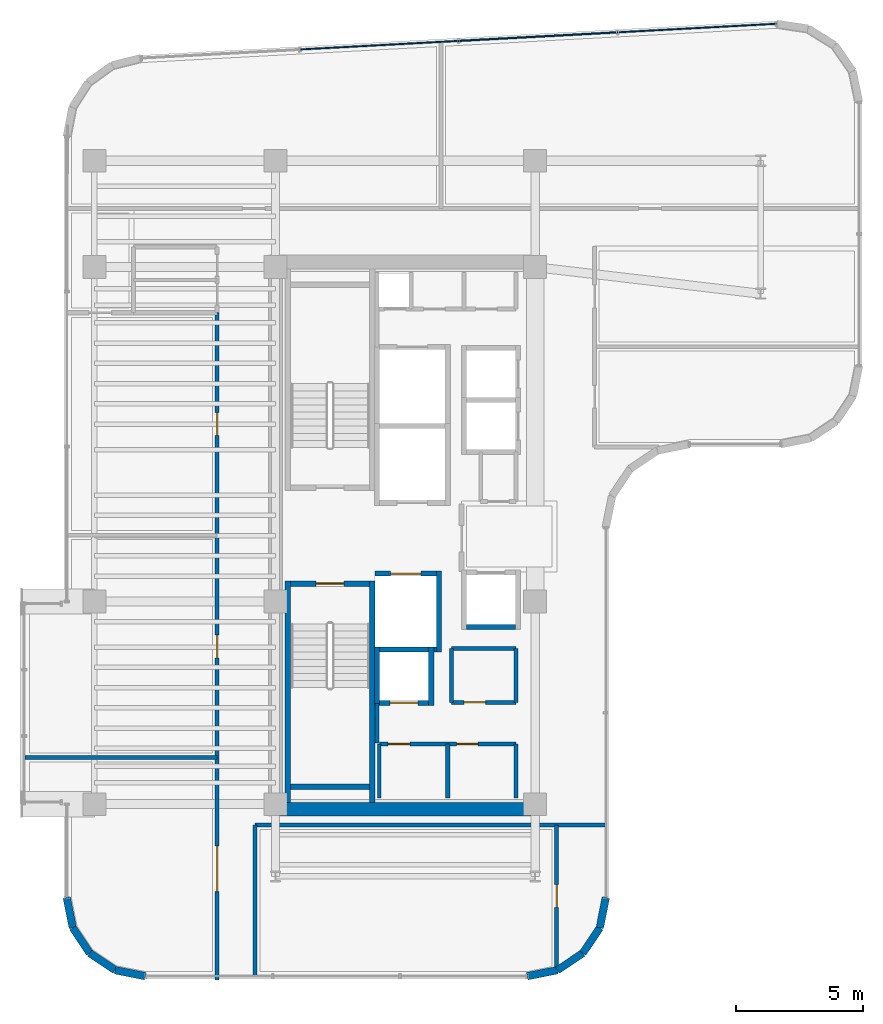
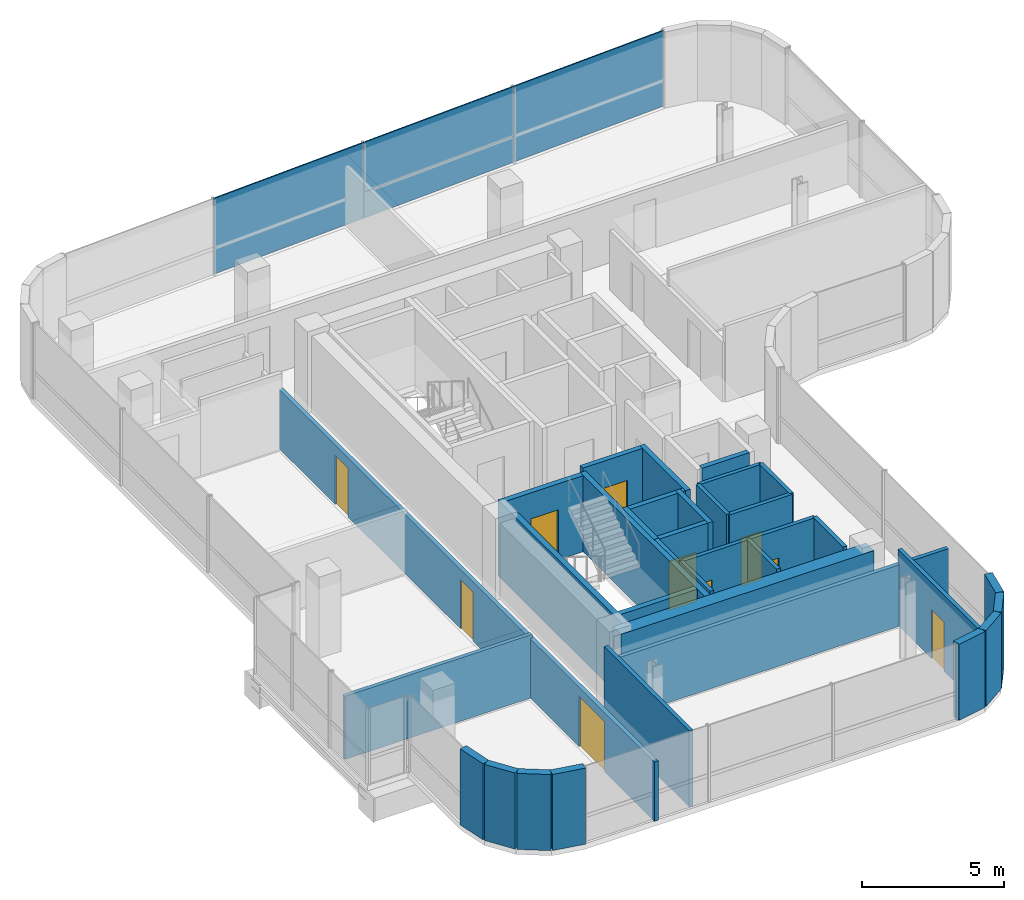
# One storey, part 18 of 22: 34 walls, 10 doors, 4 plates, 10 openings, 1 element without a shape of its own.
"""IFC4 building model written with IfcOpenShell, lengths in metres."""

import ifcopenshell
import ifcopenshell.guid

model = None  # the IFC model being written
_history = None  # IfcOwnerHistory: only IFC2X3 demands one
_inside = {}  # id of a spatial element -> (the spatial element, [elements in it])
_under = {}  # id of a project, library or spatial element -> (it, [spatial elements below it])
_declared = {}  # id of a project -> (the project, [libraries it declares])
_typed = {}  # id of a type object -> (the type object, [elements of that type])
_made_of = {}  # id of a material, layer set ... -> (it, [elements and type objects made of it])


def new_model(schema):
    """Start an empty IFC model of exactly this schema.

    Asked for "IFC4X3", IfcOpenShell would pick the latest addendum, in which some entities
    have other attributes; the version numbers below select the first issue.
    IFC2X3 requires an IfcOwnerHistory on every rooted entity: one is made here for all.
    """
    global model, _history
    if schema == "IFC4X3":
        model = ifcopenshell.file(schema_version=(4, 3, 0, 0))
    else:
        model = ifcopenshell.file(schema=schema)
    _inside.clear()
    _under.clear()
    _declared.clear()
    _typed.clear()
    _made_of.clear()
    _history = None
    if model.schema == "IFC2X3":
        org = make("IfcOrganization", Name="unknown")
        user = make(
            "IfcPersonAndOrganization",
            ThePerson=make("IfcPerson", FamilyName="unknown"),
            TheOrganization=org,
        )
        app = make(
            "IfcApplication",
            ApplicationDeveloper=org,
            Version="unknown",
            ApplicationFullName="unknown",
            ApplicationIdentifier="unknown",
        )
        _history = make(
            "IfcOwnerHistory",
            OwningUser=user,
            OwningApplication=app,
            ChangeAction="ADDED",
            CreationDate=0,
        )
    return model


def make(cls, **values):
    """One entity of the class cls with the attributes given. An attribute that is None is left unset."""
    return model.create_entity(
        cls, **{name: value for name, value in values.items() if value is not None}
    )


def rooted(cls, **values):
    """An entity with a GlobalId (a new one), such as an element, a storey or a relation."""
    return make(cls, GlobalId=ifcopenshell.guid.new(), OwnerHistory=_history, **values)


def si_unit(unit_type, name, prefix=None):
    """IfcSIUnit, for example si_unit("LENGTHUNIT", "METRE", prefix="MILLI")."""
    return make("IfcSIUnit", UnitType=unit_type, Prefix=prefix, Name=name)


def assignment(units):
    """IfcUnitAssignment: the units of a project."""
    return None if units is None else make("IfcUnitAssignment", Units=units)


def point(xyz):
    """IfcCartesianPoint."""
    return None if xyz is None else make("IfcCartesianPoint", Coordinates=xyz)


def direction(xyz):
    """IfcDirection."""
    return None if xyz is None else make("IfcDirection", DirectionRatios=xyz)


def frame(location, z_axis=None, x_axis=None):
    """IfcAxis2Placement3D, a coordinate frame: its origin and axes. An axis left out is left unset."""
    return make(
        "IfcAxis2Placement3D",
        Location=point(location),
        Axis=direction(z_axis),
        RefDirection=direction(x_axis),
    )


def frame_2d(location, x_axis=None):
    """IfcAxis2Placement2D, a coordinate frame in the plane: its origin and x axis."""
    return make(
        "IfcAxis2Placement2D", Location=point(location), RefDirection=direction(x_axis)
    )


def origin():
    """The frame at (0, 0, 0) with its axes left unset."""
    return frame((0.0, 0.0, 0.0))


def origin_2d():
    """The frame at (0, 0) in the plane with its x axis left unset."""
    return frame_2d((0.0, 0.0))


def place(relative_to, where):
    """IfcLocalPlacement: puts the frame where relative to a parent placement (None: the world)."""
    return make(
        "IfcLocalPlacement", PlacementRelTo=relative_to, RelativePlacement=where
    )


def context(
    kind, dimensions, precision=None, world=None, true_north=None, identifier=None
):
    """IfcGeometricRepresentationContext, for example the 3D "Model" context."""
    return make(
        "IfcGeometricRepresentationContext",
        ContextIdentifier=identifier,
        ContextType=kind,
        CoordinateSpaceDimension=dimensions,
        Precision=precision,
        WorldCoordinateSystem=world,
        TrueNorth=true_north,
    )


def subcontext(parent, identifier, kind, view, scale=None):
    """IfcGeometricRepresentationSubContext, for example "Body" below "Model"."""
    return make(
        "IfcGeometricRepresentationSubContext",
        ContextIdentifier=identifier,
        ContextType=kind,
        ParentContext=parent,
        TargetScale=scale,
        TargetView=view,
    )


def project(units=None, contexts=None):
    """IfcProject with its units and contexts."""
    return rooted(
        "IfcProject",
        Name="project",
        RepresentationContexts=contexts,
        UnitsInContext=assignment(units),
    )


def spatial(cls, under=None, at=None, **own):
    """A site, building, storey or space (cls), placed at a placement, below another one or the project."""
    s = rooted(cls, ObjectPlacement=at, **own)
    if under is not None:
        _under.setdefault(under.id(), (under, []))[1].append(s)
    return s


def profile(cls, at=None, kind="AREA", **sizes):
    """A parametric profile (cls). Its sizes go by their IFC names, for example OverallWidth=200.0."""
    return make(cls, ProfileType=kind, Position=at, **sizes)


def rectangle(**sizes):
    """IfcRectangleProfileDef."""
    return profile("IfcRectangleProfileDef", **sizes)


def extrude(swept, where, along, depth):
    """IfcExtrudedAreaSolid: the profile swept, set in the frame where, extruded along a direction by depth."""
    return make(
        "IfcExtrudedAreaSolid",
        SweptArea=swept,
        Position=where,
        ExtrudedDirection=direction(along),
        Depth=depth,
    )


def shape(context_of_items, identifier, shape_type, items):
    """IfcShapeRepresentation: the items that make up one representation, for example the "Body"."""
    return make(
        "IfcShapeRepresentation",
        ContextOfItems=context_of_items,
        RepresentationIdentifier=identifier,
        RepresentationType=shape_type,
        Items=items,
    )


def source(mapping_origin, context_of_items, identifier, shape_type, items):
    """IfcRepresentationMap: a shape defined once, which mapped items show again and again."""
    return make(
        "IfcRepresentationMap",
        MappingOrigin=mapping_origin,
        MappedRepresentation=shape(context_of_items, identifier, shape_type, items),
    )


def transform(
    local_origin,
    x_axis=None,
    y_axis=None,
    z_axis=None,
    scale=None,
    scale2=None,
    scale3=None,
    uniform=True,
):
    """IfcCartesianTransformationOperator3D, or its non-uniform kind. x_axis, y_axis, z_axis: its Axis1, 2, 3."""
    if uniform:
        return make(
            "IfcCartesianTransformationOperator3D",
            Axis1=direction(x_axis),
            Axis2=direction(y_axis),
            LocalOrigin=point(local_origin),
            Scale=scale,
            Axis3=direction(z_axis),
        )
    return make(
        "IfcCartesianTransformationOperator3DnonUniform",
        Axis1=direction(x_axis),
        Axis2=direction(y_axis),
        LocalOrigin=point(local_origin),
        Scale=scale,
        Axis3=direction(z_axis),
        Scale2=scale2,
        Scale3=scale3,
    )


def mapped(mapping_source, mapping_target):
    """IfcMappedItem: shows the shape of a source again, moved by a transform."""
    return make(
        "IfcMappedItem", MappingSource=mapping_source, MappingTarget=mapping_target
    )


def material(Name=None, Category=None):
    """IfcMaterial."""
    return make("IfcMaterial", Name=Name, Category=Category)


def layer(
    of_material, thickness, ventilated=None, Name=None, Category=None, Priority=None
):
    """IfcMaterialLayer: one layer of a wall or slab, of a material (None: an air gap)."""
    return make(
        "IfcMaterialLayer",
        Material=of_material,
        LayerThickness=thickness,
        IsVentilated=ventilated,
        Name=Name,
        Category=Category,
        Priority=Priority,
    )


def layer_set(layers, Name=None):
    """IfcMaterialLayerSet."""
    return make("IfcMaterialLayerSet", MaterialLayers=layers, LayerSetName=Name)


def made_of(thing, what):
    """Note that an element or type object is made of a material, layer set ...; save() writes the relation."""
    if what is not None:
        _made_of.setdefault(what.id(), (what, []))[1].append(thing)
    return thing


def type_object(cls, material=None, **own):
    """A type object (cls), such as IfcWallType, which elements share."""
    return made_of(rooted(cls, **own), material)


def element(
    cls,
    number,
    at=None,
    inside=None,
    cuts=None,
    type_object=None,
    material=None,
    context=None,
    identifier="Body",
    shape_type=None,
    held_by="IfcProductDefinitionShape",
    body=None,
    shapes=None,
    **own,
):
    """One element of the class cls, such as IfcWall. Its Tag is "e" and its number.

    at: its placement. inside: the storey or other place that contains it. cuts: it is an
    opening in that element (IfcRelVoidsElement). A single representation is given by context,
    identifier, shape_type and body (its items); several are given by shapes. held_by: the class
    of the entity that holds the representations. save() writes the other relations.
    """
    e = rooted(cls, Tag="e%d" % number, ObjectPlacement=at, **own)
    if body is not None:
        shapes = [shape(context, identifier, shape_type, body)]
    if shapes is not None:
        e.Representation = make(held_by, Representations=shapes)
    if inside is not None:
        _inside.setdefault(inside.id(), (inside, []))[1].append(e)
    if cuts is not None:
        rooted(
            "IfcRelVoidsElement", RelatingBuildingElement=cuts, RelatedOpeningElement=e
        )
    if type_object is not None:
        _typed.setdefault(type_object.id(), (type_object, []))[1].append(e)
    return made_of(e, material)


def fill(opening, filler):
    """IfcRelFillsElement: the door or window that sits in an opening."""
    return rooted(
        "IfcRelFillsElement",
        RelatingOpeningElement=opening,
        RelatedBuildingElement=filler,
    )


def aggregate(whole, parts):
    """IfcRelAggregates: a whole, such as a stair, and the parts it consists of."""
    return rooted("IfcRelAggregates", RelatingObject=whole, RelatedObjects=parts)


def save(model, path):
    """Write the relations noted so far, then the file.

    IfcRelAggregates (storeys below a building ...), IfcRelContainedInSpatialStructure (elements
    in a storey), IfcRelDefinesByType, IfcRelAssociatesMaterial and IfcRelDeclares: one each for
    every whole, place, type object, material and project.
    """
    for whole, parts in _under.values():
        aggregate(whole, parts)
    for where, things in _inside.values():
        rooted(
            "IfcRelContainedInSpatialStructure",
            RelatedElements=things,
            RelatingStructure=where,
        )
    for kind, things in _typed.values():
        rooted("IfcRelDefinesByType", RelatedObjects=things, RelatingType=kind)
    for what, things in _made_of.values():
        rooted("IfcRelAssociatesMaterial", RelatedObjects=things, RelatingMaterial=what)
    for by, libraries in _declared.values():
        rooted("IfcRelDeclares", RelatingContext=by, RelatedDefinitions=libraries)
    model.write(path)


model = new_model("IFC4")

# Units and contexts
model_context = context("Model", 3, precision=1e-05, world=origin(), true_north=direction((0.0, 1.0)))
body_context = subcontext(model_context, "Body", "Model", "MODEL_VIEW")
ifc_project = project(units=[si_unit("LENGTHUNIT", "METRE"), si_unit("AREAUNIT", "SQUARE_METRE"), si_unit("VOLUMEUNIT", "CUBIC_METRE"), si_unit("PLANEANGLEUNIT", "RADIAN"), si_unit("MASSUNIT", "GRAM", prefix="KILO")], contexts=[model_context])

# Site, building, storey
site_placement = place(None, origin())
site = spatial("IfcSite", under=ifc_project, at=site_placement, CompositionType="ELEMENT")
building_placement = place(site_placement, origin())
building = spatial("IfcBuilding", under=site, at=building_placement, Name="Valdorenza Pilgrim Sanctuary Tower", CompositionType="ELEMENT")
storey_placement = place(building_placement, frame((0.0, 0.0, 237.0)))
storey = spatial("IfcBuildingStorey", under=building, at=storey_placement, Name="L61", CompositionType="ELEMENT", Elevation=237.0)

# Curtain wall, plates
ifc_material_1 = material(Name="Curtain-wall IGU glazing", Category="glass")
curtain_wall_type = type_object("IfcCurtainWallType", Name="CW-SYS-02", PredefinedType="NOTDEFINED", material=ifc_material_1)
curtain_wall_placement = place(storey_placement, origin())
curtain_wall = element("IfcCurtainWall", 1, at=curtain_wall_placement, inside=storey, type_object=curtain_wall_type, Name="L61 Curtain Wall CW-L61-1-6", PredefinedType="NOTDEFINED")
ifc_material_2 = material(Name="Honed travertine limestone", Category="masonry")
ifc_layer_1 = layer(ifc_material_2, 0.050048828125, Name="Honed travertine limestone")
ifc_layer_set_1 = layer_set([ifc_layer_1], Name="Honed travertine limestone")
plate_type_1 = type_object("IfcPlateType", Name="CW-SPN-TRV", PredefinedType="USERDEFINED", material=ifc_layer_set_1)
shared_shape_1 = source(origin(), body_context, "Body", "SweptSolid", [
    extrude(rectangle(XDim=6.2587890625, YDim=0.06005859375, at=origin_2d()), origin(), (0.0, 0.0, 1.0), 1.10009765625),
])
plate_1_placement = place(storey_placement, frame((-12.281982421875, 19.699951171875, 0.010009765625), z_axis=(0.0, 0.0, 1.0), x_axis=(0.998547034311, 0.053887106711, 0.0)))
plate_1 = element("IfcPlate", 2, at=plate_1_placement, type_object=plate_type_1, Name="CW-L61-1-6 Travertine Spandrel 3", ObjectType="SPANDREL", PredefinedType="USERDEFINED", context=body_context, shape_type="MappedRepresentation", body=[
    mapped(shared_shape_1, transform((0.0, 0.0, 0.0), x_axis=(1.0, 0.0, 0.0), y_axis=(0.0, 1.0, 0.0), z_axis=(0.0, 0.0, 1.0), scale=1.0)),
])
ifc_material_3 = material(Name="Ceramic-fritted low-E IGU glazing", Category="glass")
ifc_layer_2 = layer(ifc_material_3, 0.035888671875, Name="Ceramic-fritted low-E IGU glazing")
ifc_layer_set_2 = layer_set([ifc_layer_2], Name="Ceramic-fritted low-E IGU glazing")
plate_type_2 = type_object("IfcPlateType", Name="CW-GLZ-IGU", PredefinedType="USERDEFINED", material=ifc_layer_set_2)
shared_shape_2 = source(origin(), body_context, "Body", "SweptSolid", [
    extrude(rectangle(XDim=6.2587890625, YDim=0.050048828125, at=origin_2d()), origin(), (0.0, 0.0, 1.0), 2.1201171875),
])
plate_2_placement = place(storey_placement, frame((-12.281982421875, 19.699951171875, 1.1298828125), z_axis=(0.0, 0.0, 1.0), x_axis=(0.998547034311, 0.053887106711, 0.0)))
plate_2 = element("IfcPlate", 3, at=plate_2_placement, type_object=plate_type_2, Name="CW-L61-1-6 Facade Panel 3", ObjectType="GLAZING", PredefinedType="USERDEFINED", context=body_context, shape_type="MappedRepresentation", body=[
    mapped(shared_shape_2, transform((0.0, 0.0, 0.0), x_axis=(1.0, 0.0, 0.0), y_axis=(0.0, 1.0, 0.0), z_axis=(0.0, 0.0, 1.0), scale=1.0)),
])
shared_shape_3 = source(origin(), body_context, "Body", "SweptSolid", [
    extrude(rectangle(XDim=6.2587890625, YDim=0.050048828125, at=origin_2d()), origin(), (0.0, 0.0, 1.0), 3.239990234375),
])
plate_3_placement = place(storey_placement, frame((-18.551513671875, 19.36181640625, 0.009765625), z_axis=(0.0, 0.0, 1.0), x_axis=(0.998547034311, 0.053887106711, 0.0)))
plate_3 = element("IfcPlate", 4, at=plate_3_placement, type_object=plate_type_2, Name="CW-L61-1-6 Full-Height Facade Panel 2", ObjectType="GLAZING", PredefinedType="USERDEFINED", context=body_context, shape_type="MappedRepresentation", body=[
    mapped(shared_shape_3, transform((0.0, 0.0, 0.0), x_axis=(1.0, 0.0, 0.0), y_axis=(0.0, 1.0, 0.0), z_axis=(0.0, 0.0, 1.0), scale=1.0)),
])
plate_4_placement = place(storey_placement, frame((-6.012451171875, 20.038330078125, 0.009765625), z_axis=(0.0, 0.0, 1.0), x_axis=(0.998547034311, 0.053887106711, 0.0)))
plate_4 = element("IfcPlate", 5, at=plate_4_placement, type_object=plate_type_2, Name="CW-L61-1-6 Full-Height Facade Panel 4", ObjectType="GLAZING", PredefinedType="USERDEFINED", context=body_context, shape_type="MappedRepresentation", body=[
    mapped(shared_shape_3, transform((0.0, 0.0, 0.0), x_axis=(1.0, 0.0, 0.0), y_axis=(0.0, 1.0, 0.0), z_axis=(0.0, 0.0, 1.0), scale=1.0)),
])
aggregate(curtain_wall, [plate_3, plate_1, plate_2, plate_4])

# Wall
ifc_material_4 = material(Name="Acoustic twin-stud gypsum partition", Category="gypsum")
ifc_layer_3 = layer(ifc_material_4, 0.159912109375, Name="Acoustic twin-stud gypsum partition")
ifc_layer_set_3 = layer_set([ifc_layer_3], Name="Acoustic twin-stud gypsum partition")
wall_type_1 = type_object("IfcWallType", Name="WAL-COR-160", PredefinedType="PARTITIONING", material=ifc_layer_set_3)
wall_1_placement = place(storey_placement, frame((-18.64990234375, -8.179931640625, 0.0), z_axis=(0.0, 0.0, 1.0), x_axis=(0.0, 1.0, 0.0)))
element("IfcWall", 6, at=wall_1_placement, inside=storey, type_object=wall_type_1, Name="L61 Core A South Lift Hall West Wall", PredefinedType="PARTITIONING", context=body_context, shape_type="SweptSolid", body=[
    extrude(rectangle(XDim=1.559814453125, YDim=0.159912109375, at=frame_2d((0.77978515625, 0.0))), origin(), (0.0, 0.0, 1.0), 3.260009765625),
])

# Wall, openings, doors
wall_2_placement = place(storey_placement, frame((-18.550048828125, -8.219970703125, 0.0), z_axis=(0.0, 0.0, 1.0), x_axis=(1.0, 0.0, 0.0)))
wall_2 = element("IfcWall", 7, at=wall_2_placement, inside=storey, type_object=wall_type_1, Name="L61 Freed Shaft 1 North Wall", PredefinedType="PARTITIONING", context=body_context, shape_type="SweptSolid", body=[
    extrude(rectangle(XDim=5.400146484375, YDim=0.159912109375, at=frame_2d((2.7001953125, 0.0))), origin(), (0.0, 0.0, 1.0), 3.260009765625),
])
opening_1_placement = place(wall_2_placement, frame((0.35009765625, 0.0, 0.0)))
opening_1 = element("IfcOpeningElement", 8, at=opening_1_placement, cuts=wall_2, Name="Opening DR-RS1", PredefinedType="OPENING", context=body_context, shape_type="SweptSolid", body=[
    extrude(rectangle(XDim=0.85009765625, YDim=2.050048828125, at=frame_2d((0.425048828125, 1.02490234375))), frame((0.0, 0.0947265625, 0.0), z_axis=(0.0, -1.0, 0.0), x_axis=(1.0, 0.0, 0.0)), (0.0, 0.0, 1.0), 0.189697265625),
])
opening_2_placement = place(wall_2_placement, frame((3.050048828125, 0.0, 0.0)))
opening_2 = element("IfcOpeningElement", 9, at=opening_2_placement, cuts=wall_2, Name="Opening DR-RS1", PredefinedType="OPENING", context=body_context, shape_type="SweptSolid", body=[
    extrude(rectangle(XDim=0.85009765625, YDim=2.050048828125, at=frame_2d((0.425048828125, 1.02490234375))), frame((0.0, 0.0947265625, 0.0), z_axis=(0.0, -1.0, 0.0), x_axis=(1.0, 0.0, 0.0)), (0.0, 0.0, 1.0), 0.189697265625),
])
ifc_material_5 = material(Name="Painted galvanized steel", Category="steel")
door_type_1 = type_object("IfcDoorType", Name="DR-RSR-850", OperationType="NOTDEFINED", PredefinedType="DOOR", material=ifc_material_5)
door_1_placement = place(opening_1_placement, origin())
door_1 = element("IfcDoor", 10, at=door_1_placement, inside=storey, type_object=door_type_1, Name="L61 Linen Store Door", OperationType="SINGLE_SWING_RIGHT", OverallHeight=2.050048828125, OverallWidth=0.85009765625, PredefinedType="DOOR", context=body_context, shape_type="SweptSolid", body=[
    extrude(rectangle(XDim=0.85009765625, YDim=2.050048828125, at=frame_2d((0.425048828125, 1.02490234375))), frame((0.0, 0.02490234375, 0.0), z_axis=(0.0, -1.0, 0.0), x_axis=(1.0, 0.0, 0.0)), (0.0, 0.0, 1.0), 0.050048828125),
])
fill(opening_1, door_1)
door_2_placement = place(opening_2_placement, origin())
door_2 = element("IfcDoor", 11, at=door_2_placement, inside=storey, type_object=door_type_1, Name="L61 Cot Store Door", OperationType="SINGLE_SWING_LEFT", OverallHeight=2.050048828125, OverallWidth=0.85009765625, PredefinedType="DOOR", context=body_context, shape_type="SweptSolid", body=[
    extrude(rectangle(XDim=0.85009765625, YDim=2.050048828125, at=frame_2d((0.425048828125, 1.02490234375))), frame((0.0, 0.02490234375, 0.0), z_axis=(0.0, -1.0, 0.0), x_axis=(1.0, 0.0, 0.0)), (0.0, 0.0, 1.0), 0.050048828125),
])
fill(opening_2, door_2)

# Walls
for number, where, z_axis, x_axis, name in (
    (12, (-13.14990234375, -10.35009765625, 0.0), (0.0, 0.0, 1.0), (0.0, 1.0, 0.0), "L61 Freed Shaft 1 East Wall"),
    (13, (-15.85009765625, -10.35009765625, 0.0), (0.0, 0.0, 1.0), (0.0, 1.0, 0.0), "L61 Freed Shaft 1 Split Wall"),
):
    element("IfcWall", number, at=place(storey_placement, frame(where, z_axis=z_axis, x_axis=x_axis)), inside=storey, type_object=wall_type_1, Name=name, PredefinedType="PARTITIONING", context=body_context, shape_type="SweptSolid", body=[
        extrude(rectangle(XDim=2.130126953125, YDim=0.159912109375, at=frame_2d((1.06494140625, 0.0))), origin(), (0.0, 0.0, 1.0), 3.260009765625),
    ])

# Wall, opening, door
wall_3_placement = place(storey_placement, frame((-15.699951171875, -6.580078125, 0.0), z_axis=(0.0, 0.0, 1.0), x_axis=(1.0, 0.0, 0.0)))
wall_3 = element("IfcWall", 14, at=wall_3_placement, inside=storey, type_object=wall_type_1, Name="L61 Freed Shaft 2 South Wall", PredefinedType="PARTITIONING", context=body_context, shape_type="SweptSolid", body=[
    extrude(rectangle(XDim=2.550048828125, YDim=0.159912109375, at=frame_2d((1.27490234375, 0.0))), origin(), (0.0, 0.0, 1.0), 3.260009765625),
])
opening_3_placement = place(wall_3_placement, frame((0.5, 0.0, 0.0)))
opening_3 = element("IfcOpeningElement", 15, at=opening_3_placement, cuts=wall_3, Name="Opening DR-RS1", PredefinedType="OPENING", context=body_context, shape_type="SweptSolid", body=[
    extrude(rectangle(XDim=0.85009765625, YDim=2.050048828125, at=frame_2d((0.425048828125, 1.02490234375))), frame((0.0, 0.0947265625, 0.0), z_axis=(0.0, -1.0, 0.0), x_axis=(1.0, 0.0, 0.0)), (0.0, 0.0, 1.0), 0.189697265625),
])
door_3_placement = place(opening_3_placement, origin())
door_3 = element("IfcDoor", 16, at=door_3_placement, inside=storey, type_object=door_type_1, Name="L61 Guest Tea Pantry Door", OperationType="SINGLE_SWING_RIGHT", OverallHeight=2.050048828125, OverallWidth=0.85009765625, PredefinedType="DOOR", context=body_context, shape_type="SweptSolid", body=[
    extrude(rectangle(XDim=0.85009765625, YDim=2.050048828125, at=frame_2d((0.425048828125, 1.02490234375))), frame((0.0, 0.02490234375, 0.0), z_axis=(0.0, -1.0, 0.0), x_axis=(1.0, 0.0, 0.0)), (0.0, 0.0, 1.0), 0.050048828125),
])
fill(opening_3, door_3)

# Walls
wall_4_placement = place(storey_placement, frame((-13.14990234375, -6.580078125, 0.0), z_axis=(0.0, 0.0, 1.0), x_axis=(0.0, 1.0, 0.0)))
element("IfcWall", 17, at=wall_4_placement, inside=storey, type_object=wall_type_1, Name="L61 Freed Shaft 2 East Wall", PredefinedType="PARTITIONING", context=body_context, shape_type="SweptSolid", body=[
    extrude(rectangle(XDim=2.130126953125, YDim=0.159912109375, at=frame_2d((1.06494140625, 0.0))), origin(), (0.0, 0.0, 1.0), 3.260009765625),
])
wall_5_placement = place(storey_placement, frame((-23.449951171875, -11.419921875, 0.0), z_axis=(0.0, 0.0, 1.0), x_axis=(1.0, 0.0, 0.0)))
element("IfcWall", 18, at=wall_5_placement, inside=storey, type_object=wall_type_1, Name="L61 South-East Pocket North Wall", PredefinedType="PARTITIONING", context=body_context, shape_type="SweptSolid", body=[
    extrude(rectangle(XDim=13.83984375, YDim=0.159912109375, at=frame_2d((6.919921875, 0.0))), origin(), (0.0, 0.0, 1.0), 2.634033203125),
])
wall_6_placement = place(storey_placement, frame((-23.449951171875, -17.389892578125, 0.0), z_axis=(0.0, 0.0, 1.0), x_axis=(0.0, 1.0, 0.0)))
element("IfcWall", 19, at=wall_6_placement, inside=storey, type_object=wall_type_1, Name="L61 South-East Pocket West Wall", PredefinedType="PARTITIONING", context=body_context, shape_type="SweptSolid", body=[
    extrude(rectangle(XDim=5.969970703125, YDim=0.159912109375, at=frame_2d((2.98486328125, 0.0))), origin(), (0.0, 0.0, 1.0), 3.260009765625),
])

# Wall, openings, doors
wall_7_placement = place(storey_placement, frame((-24.949951171875, -17.5400390625, 0.0), z_axis=(0.0, 0.0, 1.0), x_axis=(0.0, 1.0, 0.0)))
wall_7 = element("IfcWall", 20, at=wall_7_placement, inside=storey, type_object=wall_type_1, Name="L61 West Wing Corridor Wall", PredefinedType="PARTITIONING", context=body_context, shape_type="SweptSolid", body=[
    extrude(rectangle(XDim=26.340087890625, YDim=0.159912109375, at=frame_2d((13.169921875, 0.0))), origin(), (0.0, 0.0, 1.0), 2.5439453125),
])
opening_4_placement = place(wall_7_placement, frame((3.489990234375, 0.0, 0.0)))
opening_4 = element("IfcOpeningElement", 21, at=opening_4_placement, cuts=wall_7, Name="Opening DR-HL1", PredefinedType="OPENING", context=body_context, shape_type="SweptSolid", body=[
    extrude(rectangle(XDim=1.800048828125, YDim=2.14990234375, at=frame_2d((0.89990234375, 1.074951171875))), frame((0.0, 0.0947265625, 0.0), z_axis=(0.0, -1.0, 0.0), x_axis=(1.0, 0.0, 0.0)), (0.0, 0.0, 1.0), 0.189697265625),
])
opening_5_placement = place(wall_7_placement, frame((12.719970703125, 0.0, 0.0)))
opening_5 = element("IfcOpeningElement", 22, at=opening_5_placement, cuts=wall_7, Name="Opening DR-RM1", PredefinedType="OPENING", context=body_context, shape_type="SweptSolid", body=[
    extrude(rectangle(XDim=0.89990234375, YDim=2.10009765625, at=frame_2d((0.449951171875, 1.050048828125))), frame((0.0, 0.0947265625, 0.0), z_axis=(0.0, -1.0, 0.0), x_axis=(1.0, 0.0, 0.0)), (0.0, 0.0, 1.0), 0.189697265625),
])
opening_6_placement = place(wall_7_placement, frame((21.5, 0.0, 0.0)))
opening_6 = element("IfcOpeningElement", 23, at=opening_6_placement, cuts=wall_7, Name="Opening DR-RM1", PredefinedType="OPENING", context=body_context, shape_type="SweptSolid", body=[
    extrude(rectangle(XDim=0.89990234375, YDim=2.10009765625, at=frame_2d((0.449951171875, 1.050048828125))), frame((0.0, 0.0947265625, 0.0), z_axis=(0.0, -1.0, 0.0), x_axis=(1.0, 0.0, 0.0)), (0.0, 0.0, 1.0), 0.189697265625),
])
ifc_material_6 = material(Name="Acoustic oak and vision-glass double door", Category="glass")
door_type_2 = type_object("IfcDoorType", Name="DR-HALL-1800", OperationType="NOTDEFINED", PredefinedType="DOOR", material=ifc_material_6)
door_4_placement = place(opening_4_placement, frame((1.800048828125, 0.0, 0.0), z_axis=(0.0, 0.0, 1.0), x_axis=(-1.0, 0.0, 0.0)))
door_4 = element("IfcDoor", 24, at=door_4_placement, inside=storey, type_object=door_type_2, Name="L61 Main Pilgrim Dining Restaurant L61 Door", OperationType="DOUBLE_DOOR_SINGLE_SWING", OverallHeight=2.14990234375, OverallWidth=1.800048828125, PredefinedType="DOOR", context=body_context, shape_type="SweptSolid", body=[
    extrude(rectangle(XDim=1.800048828125, YDim=2.14990234375, at=frame_2d((0.89990234375, 1.074951171875))), frame((0.0, 0.02490234375, 0.0), z_axis=(0.0, -1.0, 0.0), x_axis=(1.0, 0.0, 0.0)), (0.0, 0.0, 1.0), 0.050048828125),
])
fill(opening_4, door_4)
ifc_material_7 = material(Name="Solid-core European oak timber", Category="wood")
door_type_3 = type_object("IfcDoorType", Name="DR-ROOM-900", OperationType="NOTDEFINED", PredefinedType="DOOR", material=ifc_material_7)
door_5_placement = place(opening_5_placement, origin())
door_5 = element("IfcDoor", 25, at=door_5_placement, inside=storey, type_object=door_type_3, Name="L61 Commercial Refectory Kitchen L61 Door", OperationType="SINGLE_SWING_RIGHT", OverallHeight=2.10009765625, OverallWidth=0.89990234375, PredefinedType="DOOR", context=body_context, shape_type="SweptSolid", body=[
    extrude(rectangle(XDim=0.89990234375, YDim=2.10009765625, at=frame_2d((0.449951171875, 1.050048828125))), frame((0.0, 0.02490234375, 0.0), z_axis=(0.0, -1.0, 0.0), x_axis=(1.0, 0.0, 0.0)), (0.0, 0.0, 1.0), 0.050048828125),
])
fill(opening_5, door_5)
door_6_placement = place(opening_6_placement, frame((0.89990234375, 0.0, 0.0), z_axis=(0.0, 0.0, 1.0), x_axis=(-1.0, 0.0, 0.0)))
door_6 = element("IfcDoor", 26, at=door_6_placement, inside=storey, type_object=door_type_3, Name="L61 Private Banquet Dining Room L61 Door", OperationType="SINGLE_SWING_LEFT", OverallHeight=2.10009765625, OverallWidth=0.89990234375, PredefinedType="DOOR", context=body_context, shape_type="SweptSolid", body=[
    extrude(rectangle(XDim=0.89990234375, YDim=2.10009765625, at=frame_2d((0.449951171875, 1.050048828125))), frame((0.0, 0.02490234375, 0.0), z_axis=(0.0, -1.0, 0.0), x_axis=(1.0, 0.0, 0.0)), (0.0, 0.0, 1.0), 0.050048828125),
])
fill(opening_6, door_6)

# Wall, opening, door
wall_8_placement = place(storey_placement, frame((-11.550048828125, -17.023681640625, 0.0), z_axis=(0.0, 0.0, 1.0), x_axis=(0.0, 1.0, 0.0)))
wall_8 = element("IfcWall", 27, at=wall_8_placement, inside=storey, type_object=wall_type_1, Name="L61 South-East Concourse Wall", PredefinedType="PARTITIONING", context=body_context, shape_type="SweptSolid", body=[
    extrude(rectangle(XDim=5.603759765625, YDim=0.159912109375, at=frame_2d((2.8017578125, 0.0))), origin(), (0.0, 0.0, 1.0), 3.260009765625),
])
opening_7_placement = place(wall_8_placement, frame((2.35205078125, 0.0, 0.0)))
opening_7 = element("IfcOpeningElement", 28, at=opening_7_placement, cuts=wall_8, Name="Opening DR-RM1", PredefinedType="OPENING", context=body_context, shape_type="SweptSolid", body=[
    extrude(rectangle(XDim=0.89990234375, YDim=2.10009765625, at=frame_2d((0.449951171875, 1.050048828125))), frame((0.0, 0.0947265625, 0.0), z_axis=(0.0, -1.0, 0.0), x_axis=(1.0, 0.0, 0.0)), (0.0, 0.0, 1.0), 0.189697265625),
])
door_7_placement = place(opening_7_placement, origin())
door_7 = element("IfcDoor", 29, at=door_7_placement, inside=storey, type_object=door_type_3, Name="L61 South Contemplation Lounge L61 Door", OperationType="SINGLE_SWING_RIGHT", OverallHeight=2.10009765625, OverallWidth=0.89990234375, PredefinedType="DOOR", context=body_context, shape_type="SweptSolid", body=[
    extrude(rectangle(XDim=0.89990234375, YDim=2.10009765625, at=frame_2d((0.449951171875, 1.050048828125))), frame((0.0, 0.02490234375, 0.0), z_axis=(0.0, -1.0, 0.0), x_axis=(1.0, 0.0, 0.0)), (0.0, 0.0, 1.0), 0.050048828125),
])
fill(opening_7, door_7)

# Walls
ifc_material_8 = material(Name="Concrete C50/60", Category="concrete")
ifc_layer_4 = layer(ifc_material_8, 0.550048828125, Name="Concrete C50/60")
ifc_layer_set_4 = layer_set([ifc_layer_4], Name="Concrete C50/60")
wall_type_2 = type_object("IfcWallType", Name="WAL-COR-550", PredefinedType="SHEAR", material=ifc_layer_set_4)
wall_9_placement = place(storey_placement, frame((-22.64990234375, -10.800048828125, 0.0), z_axis=(0.0, 0.0, 1.0), x_axis=(1.0, 0.0, 0.0)))
element("IfcWall", 30, at=wall_9_placement, inside=storey, type_object=wall_type_2, Name="L61 Split Core A Shear Wall S", PredefinedType="SHEAR", context=body_context, shape_type="SweptSolid", body=[
    extrude(rectangle(XDim=10.25, YDim=0.550048828125, at=frame_2d((5.125, 0.0))), origin(), (0.0, 0.0, 1.0), 3.260009765625),
])
ifc_layer_5 = layer(ifc_material_2, 0.300048828125, Name="Honed travertine limestone")
ifc_layer_set_5 = layer_set([ifc_layer_5], Name="Honed travertine limestone")
wall_type_3 = type_object("IfcWallType", Name="WAL-EXT-300", PredefinedType="SOLIDWALL", material=ifc_layer_set_5)
wall_10_placement = place(storey_placement, frame((-9.610107421875, -14.289306640625, 0.0), z_axis=(0.0, 0.0, 1.0), x_axis=(-0.194996050505, -0.980804027463, 0.0)))
element("IfcWall", 31, at=wall_10_placement, inside=storey, type_object=wall_type_3, Name="L61 Rounded Wind-Corner Stone Pier 22", PredefinedType="SOLIDWALL", context=body_context, shape_type="SweptSolid", body=[
    extrude(rectangle(XDim=1.2158203125, YDim=0.300048828125, at=frame_2d((0.60791015625, 0.0))), origin(), (0.0, 0.0, 1.0), 3.260009765625),
])
for number, where, z_axis, x_axis, name in (
    (32, (-9.84716796875, -15.481689453125, 0.0), (0.0, 0.0, 1.0), (-0.555635100982, -0.831426265255, 0.0), "L61 Rounded Wind-Corner Stone Pier 23"),
    (33, (-10.5166015625, -16.4833984375, 0.0), (0.0, 0.0, 1.0), (-0.831426265255, -0.555635100982, 0.0), "L61 Rounded Wind-Corner Stone Pier 24"),
):
    element("IfcWall", number, at=place(storey_placement, frame(where, z_axis=z_axis, x_axis=x_axis)), inside=storey, type_object=wall_type_3, Name=name, PredefinedType="SOLIDWALL", context=body_context, shape_type="SweptSolid", body=[
        extrude(rectangle(XDim=1.204833984375, YDim=0.300048828125, at=frame_2d((0.6025390625, 0.0))), origin(), (0.0, 0.0, 1.0), 3.260009765625),
    ])
for number, where, z_axis, x_axis, name in (
    (34, (-11.518310546875, -17.15283203125, 0.0), (0.0, 0.0, 1.0), (-0.980804027463, -0.194996050505, 0.0), "L61 Rounded Wind-Corner Stone Pier 25"),
    (35, (-27.789306640625, -17.389892578125, 0.0), (0.0, 0.0, 1.0), (-0.980804027463, 0.194996050505, 0.0), "L61 Rounded Wind-Corner Stone Pier 27"),
):
    element("IfcWall", number, at=place(storey_placement, frame(where, z_axis=z_axis, x_axis=x_axis)), inside=storey, type_object=wall_type_3, Name=name, PredefinedType="SOLIDWALL", context=body_context, shape_type="SweptSolid", body=[
        extrude(rectangle(XDim=1.2158203125, YDim=0.300048828125, at=frame_2d((0.60791015625, 0.0))), origin(), (0.0, 0.0, 1.0), 3.260009765625),
    ])
for number, where, z_axis, x_axis, name in (
    (36, (-28.981689453125, -17.15283203125, 0.0), (0.0, 0.0, 1.0), (-0.831426265255, 0.555635100982, 0.0), "L61 Rounded Wind-Corner Stone Pier 28"),
    (37, (-29.9833984375, -16.4833984375, 0.0), (0.0, 0.0, 1.0), (-0.555635100982, 0.831426265255, 0.0), "L61 Rounded Wind-Corner Stone Pier 29"),
):
    element("IfcWall", number, at=place(storey_placement, frame(where, z_axis=z_axis, x_axis=x_axis)), inside=storey, type_object=wall_type_3, Name=name, PredefinedType="SOLIDWALL", context=body_context, shape_type="SweptSolid", body=[
        extrude(rectangle(XDim=1.204833984375, YDim=0.300048828125, at=frame_2d((0.6025390625, 0.0))), origin(), (0.0, 0.0, 1.0), 3.260009765625),
    ])
wall_11_placement = place(storey_placement, frame((-30.65283203125, -15.481689453125, 0.0), z_axis=(0.0, 0.0, 1.0), x_axis=(-0.194996050505, 0.980804027463, 0.0)))
element("IfcWall", 38, at=wall_11_placement, inside=storey, type_object=wall_type_3, Name="L61 Rounded Wind-Corner Stone Pier 30", PredefinedType="SOLIDWALL", context=body_context, shape_type="SweptSolid", body=[
    extrude(rectangle(XDim=1.2158203125, YDim=0.300048828125, at=frame_2d((0.60791015625, 0.0))), origin(), (0.0, 0.0, 1.0), 3.260009765625),
])
ifc_material_9 = material(Name="Autoclaved aerated concrete blockwork", Category="masonry")
ifc_layer_6 = layer(ifc_material_9, 0.199951171875, Name="Autoclaved aerated concrete blockwork")
ifc_layer_set_6 = layer_set([ifc_layer_6], Name="Autoclaved aerated concrete blockwork")
wall_type_4 = type_object("IfcWallType", Name="WAL-SHF-200", PredefinedType="MOVABLE", material=ifc_layer_set_6)
wall_12_placement = place(storey_placement, frame((-16.199951171875, -4.60009765625, 0.0), z_axis=(0.0, 0.0, 1.0), x_axis=(0.0, 1.0, 0.0)))
element("IfcWall", 39, at=wall_12_placement, inside=storey, type_object=wall_type_4, Name="L61 Lift FFL-02 Hoistway Wall East", PredefinedType="MOVABLE", context=body_context, shape_type="SweptSolid", body=[
    extrude(rectangle(XDim=3.2001953125, YDim=0.199951171875, at=frame_2d((1.60009765625, 0.0))), origin(), (0.0, 0.0, 1.0), 3.260009765625),
])
wall_13_placement = place(storey_placement, frame((-18.719970703125, -4.5, 0.0), z_axis=(0.0, 0.0, 1.0), x_axis=(1.0, 0.0, 0.0)))
element("IfcWall", 40, at=wall_13_placement, inside=storey, type_object=wall_type_4, Name="L61 Lift FFL-02 Hoistway Wall South", PredefinedType="MOVABLE", context=body_context, shape_type="SweptSolid", body=[
    extrude(rectangle(XDim=2.419921875, YDim=0.199951171875, at=frame_2d((1.2099609375, 0.0))), origin(), (0.0, 0.0, 1.0), 3.260009765625),
])

# Wall, opening, door
wall_14_placement = place(storey_placement, frame((-18.719970703125, -1.5, 0.0), z_axis=(0.0, 0.0, 1.0), x_axis=(1.0, 0.0, 0.0)))
wall_14 = element("IfcWall", 41, at=wall_14_placement, inside=storey, type_object=wall_type_4, Name="L61 Lift FFL-02 Hoistway Wall North", PredefinedType="MOVABLE", context=body_context, shape_type="SweptSolid", body=[
    extrude(rectangle(XDim=2.419921875, YDim=0.199951171875, at=frame_2d((1.2099609375, 0.0))), origin(), (0.0, 0.0, 1.0), 3.260009765625),
])
opening_8_placement = place(wall_14_placement, frame((0.610107421875, 0.0, 0.0)))
opening_8 = element("IfcOpeningElement", 42, at=opening_8_placement, cuts=wall_14, Name="Opening LD-02", PredefinedType="OPENING", context=body_context, shape_type="SweptSolid", body=[
    extrude(rectangle(XDim=1.199951171875, YDim=2.10009765625, at=frame_2d((0.60009765625, 1.050048828125))), frame((0.0, 0.11474609375, 0.0), z_axis=(0.0, -1.0, 0.0), x_axis=(1.0, 0.0, 0.0)), (0.0, 0.0, 1.0), 0.229736328125),
])
ifc_material_10 = material(Name="Brushed stainless steel Grade 316", Category="steel")
door_type_4 = type_object("IfcDoorType", Name="DR-LFT-1200", OperationType="DOUBLE_DOOR_SLIDING", PredefinedType="DOOR", material=ifc_material_10)
door_8_placement = place(opening_8_placement, origin())
door_8 = element("IfcDoor", 43, at=door_8_placement, inside=storey, type_object=door_type_4, Name="L61 Lift FFL-02 Sliding Landing Door", OperationType="DOUBLE_DOOR_SLIDING", OverallHeight=2.10009765625, OverallWidth=1.199951171875, PredefinedType="DOOR", context=body_context, shape_type="SweptSolid", body=[
    extrude(rectangle(XDim=1.199951171875, YDim=2.10009765625, at=frame_2d((0.60009765625, 1.050048828125))), frame((0.0, 0.02490234375, 0.0), z_axis=(0.0, -1.0, 0.0), x_axis=(1.0, 0.0, 0.0)), (0.0, 0.0, 1.0), 0.050048828125),
])
fill(opening_8, door_8)

# Walls
for number, where, z_axis, x_axis, name in (
    (44, (-18.64990234375, -6.699951171875, 0.0), (0.0, 0.0, 1.0), (0.0, 1.0, 0.0), "L61 Lift PL-11 Hoistway Wall West"),
    (45, (-16.5, -6.699951171875, 0.0), (0.0, 0.0, 1.0), (0.0, 1.0, 0.0), "L61 Lift PL-11 Hoistway Wall East"),
):
    element("IfcWall", number, at=place(storey_placement, frame(where, z_axis=z_axis, x_axis=x_axis)), inside=storey, type_object=wall_type_4, Name=name, PredefinedType="MOVABLE", context=body_context, shape_type="SweptSolid", body=[
        extrude(rectangle(XDim=2.300048828125, YDim=0.199951171875, at=frame_2d((1.14990234375, 0.0))), origin(), (0.0, 0.0, 1.0), 3.260009765625),
    ])

# Wall, opening, door
wall_15_placement = place(storey_placement, frame((-18.550048828125, -6.60009765625, 0.0), z_axis=(0.0, 0.0, 1.0), x_axis=(1.0, 0.0, 0.0)))
wall_15 = element("IfcWall", 46, at=wall_15_placement, inside=storey, type_object=wall_type_4, Name="L61 Lift PL-11 Hoistway Wall South", PredefinedType="MOVABLE", context=body_context, shape_type="SweptSolid", body=[
    extrude(rectangle(XDim=1.949951171875, YDim=0.199951171875, at=frame_2d((0.97509765625, 0.0))), origin(), (0.0, 0.0, 1.0), 3.260009765625),
])
opening_9_placement = place(wall_15_placement, frame((0.425048828125, 0.0, 0.0)))
opening_9 = element("IfcOpeningElement", 47, at=opening_9_placement, cuts=wall_15, Name="Opening LD-01", PredefinedType="OPENING", context=body_context, shape_type="SweptSolid", body=[
    extrude(rectangle(XDim=1.10009765625, YDim=2.10009765625, at=frame_2d((0.550048828125, 1.050048828125))), frame((0.0, 0.11474609375, 0.0), z_axis=(0.0, -1.0, 0.0), x_axis=(1.0, 0.0, 0.0)), (0.0, 0.0, 1.0), 0.229736328125),
])
door_type_5 = type_object("IfcDoorType", Name="DR-LFT-1100", OperationType="DOUBLE_DOOR_SLIDING", PredefinedType="DOOR", material=ifc_material_10)
door_9_placement = place(opening_9_placement, origin())
door_9 = element("IfcDoor", 48, at=door_9_placement, inside=storey, type_object=door_type_5, Name="L61 Lift PL-11 Sliding Landing Door", OperationType="DOUBLE_DOOR_SLIDING", OverallHeight=2.10009765625, OverallWidth=1.10009765625, PredefinedType="DOOR", context=body_context, shape_type="SweptSolid", body=[
    extrude(rectangle(XDim=1.10009765625, YDim=2.10009765625, at=frame_2d((0.550048828125, 1.050048828125))), frame((0.0, 0.02490234375, 0.0), z_axis=(0.0, -1.0, 0.0), x_axis=(1.0, 0.0, 0.0)), (0.0, 0.0, 1.0), 0.050048828125),
])
fill(opening_9, door_9)

# Walls
wall_16_placement = place(storey_placement, frame((-15.10009765625, -3.60009765625, 0.0), z_axis=(0.0, 0.0, 1.0), x_axis=(1.0, 0.0, 0.0)))
element("IfcWall", 49, at=wall_16_placement, inside=storey, type_object=wall_type_4, Name="L61 Lift PL-12 Hoistway Wall South", PredefinedType="MOVABLE", context=body_context, shape_type="SweptSolid", body=[
    extrude(rectangle(XDim=1.920166015625, YDim=0.199951171875, at=frame_2d((0.9599609375, 0.0))), origin(), (0.0, 0.0, 1.0), 3.260009765625),
])
ifc_material_11 = material(Name="Concrete C40/50", Category="concrete")
ifc_layer_7 = layer(ifc_material_11, 0.219970703125, Name="Concrete C40/50")
ifc_layer_set_7 = layer_set([ifc_layer_7], Name="Concrete C40/50")
wall_type_5 = type_object("IfcWallType", Name="WAL-STR-SHF-220", PredefinedType="SHEAR", material=ifc_layer_set_7)
for number, where, z_axis, x_axis, name in (
    (50, (-22.159912109375, -10.52490234375, 0.0), (0.0, 0.0, 1.0), (0.0, 1.0, 0.0), "L61 ST-A2 Structural Stairwell Wall W"),
    (51, (-18.830078125, -10.52490234375, 0.0), (0.0, 0.0, 1.0), (0.0, 1.0, 0.0), "L61 ST-A2 Structural Stairwell Wall E"),
):
    element("IfcWall", number, at=place(storey_placement, frame(where, z_axis=z_axis, x_axis=x_axis)), inside=storey, type_object=wall_type_5, Name=name, PredefinedType="SHEAR", context=body_context, shape_type="SweptSolid", body=[
        extrude(rectangle(XDim=8.744873046875, YDim=0.219970703125, at=frame_2d((4.37255859375, 0.0))), origin(), (0.0, 0.0, 1.0), 3.260009765625),
    ])
wall_17_placement = place(storey_placement, frame((-22.050048828125, -9.909912109375, 0.0), z_axis=(0.0, 0.0, 1.0), x_axis=(1.0, 0.0, 0.0)))
element("IfcWall", 52, at=wall_17_placement, inside=storey, type_object=wall_type_5, Name="L61 ST-A2 Structural Stairwell Wall S", PredefinedType="SHEAR", context=body_context, shape_type="SweptSolid", body=[
    extrude(rectangle(XDim=3.110107421875, YDim=0.219970703125, at=frame_2d((1.55517578125, 0.0))), origin(), (0.0, 0.0, 1.0), 3.260009765625),
])

# Wall, opening, door
wall_18_placement = place(storey_placement, frame((-22.050048828125, -1.889892578125, 0.0), z_axis=(0.0, 0.0, 1.0), x_axis=(1.0, 0.0, 0.0)))
wall_18 = element("IfcWall", 53, at=wall_18_placement, inside=storey, type_object=wall_type_5, Name="L61 ST-A2 Structural Stairwell Wall N", PredefinedType="SHEAR", context=body_context, shape_type="SweptSolid", body=[
    extrude(rectangle(XDim=3.110107421875, YDim=0.219970703125, at=frame_2d((1.55517578125, 0.0))), origin(), (0.0, 0.0, 1.0), 3.260009765625),
])
opening_10_placement = place(wall_18_placement, frame((1.0, 0.0, 0.0)))
opening_10 = element("IfcOpeningElement", 54, at=opening_10_placement, cuts=wall_18, Name="Opening DR-ST1", PredefinedType="OPENING", context=body_context, shape_type="SweptSolid", body=[
    extrude(rectangle(XDim=1.10009765625, YDim=2.14990234375, at=frame_2d((0.550048828125, 1.074951171875))), frame((0.0, 0.125, 0.0), z_axis=(0.0, -1.0, 0.0), x_axis=(1.0, 0.0, 0.0)), (0.0, 0.0, 1.0), 0.249755859375),
])
door_type_6 = type_object("IfcDoorType", Name="DR-STAIR-1100", OperationType="NOTDEFINED", PredefinedType="DOOR", material=ifc_material_5)
door_10_placement = place(opening_10_placement, origin())
door_10 = element("IfcDoor", 55, at=door_10_placement, inside=storey, type_object=door_type_6, Name="L61 Exit Stair ST-A2 Door", OperationType="SINGLE_SWING_RIGHT", OverallHeight=2.14990234375, OverallWidth=1.10009765625, PredefinedType="DOOR", context=body_context, shape_type="SweptSolid", body=[
    extrude(rectangle(XDim=1.10009765625, YDim=2.14990234375, at=frame_2d((0.550048828125, 1.074951171875))), frame((0.0, 0.02490234375, 0.0), z_axis=(0.0, -1.0, 0.0), x_axis=(1.0, 0.0, 0.0)), (0.0, 0.0, 1.0), 0.050048828125),
])
fill(opening_10, door_10)

# Walls
ifc_layer_8 = layer(ifc_material_4, 0.14990234375, Name="Acoustic twin-stud gypsum partition")
ifc_layer_set_8 = layer_set([ifc_layer_8], Name="Acoustic twin-stud gypsum partition")
wall_type_6 = type_object("IfcWallType", Name="WAL-UNT-150", PredefinedType="PARTITIONING", material=ifc_layer_set_8)
for number, where, z_axis, x_axis, name in (
    (56, (-18.550048828125, -10.35009765625, 0.0), (0.0, 0.0, 1.0), (0.0, 1.0, 0.0), "L61 Freed Shaft 1 West Wall"),
    (57, (-15.699951171875, -6.580078125, 0.0), (0.0, 0.0, 1.0), (0.0, 1.0, 0.0), "L61 Freed Shaft 2 West Wall"),
):
    element("IfcWall", number, at=place(storey_placement, frame(where, z_axis=z_axis, x_axis=x_axis)), inside=storey, type_object=wall_type_6, Name=name, PredefinedType="PARTITIONING", context=body_context, shape_type="SweptSolid", body=[
        extrude(rectangle(XDim=2.130126953125, YDim=0.14990234375, at=frame_2d((1.06494140625, 0.0))), origin(), (0.0, 0.0, 1.0), 3.260009765625),
    ])
wall_19_placement = place(storey_placement, frame((-15.699951171875, -4.449951171875, 0.0), z_axis=(0.0, 0.0, 1.0), x_axis=(1.0, 0.0, 0.0)))
element("IfcWall", 58, at=wall_19_placement, inside=storey, type_object=wall_type_6, Name="L61 Freed Shaft 2 North Wall", PredefinedType="PARTITIONING", context=body_context, shape_type="SweptSolid", body=[
    extrude(rectangle(XDim=2.550048828125, YDim=0.14990234375, at=frame_2d((1.27490234375, 0.0))), origin(), (0.0, 0.0, 1.0), 3.260009765625),
])
wall_20_placement = place(storey_placement, frame((-32.5400390625, -8.760009765625, 0.0), z_axis=(0.0, 0.0, 1.0), x_axis=(1.0, 0.0, 0.0)))
element("IfcWall", 59, at=wall_20_placement, inside=storey, type_object=wall_type_6, Name="L61 Commercial Refectory Kitchen L61 Demising Wall", PredefinedType="PARTITIONING", context=body_context, shape_type="SweptSolid", body=[
    extrude(rectangle(XDim=7.590087890625, YDim=0.14990234375, at=frame_2d((3.794921875, 0.0))), origin(), (0.0, 0.0, 1.0), 2.7060546875),
])

save(model, "model.ifc")
